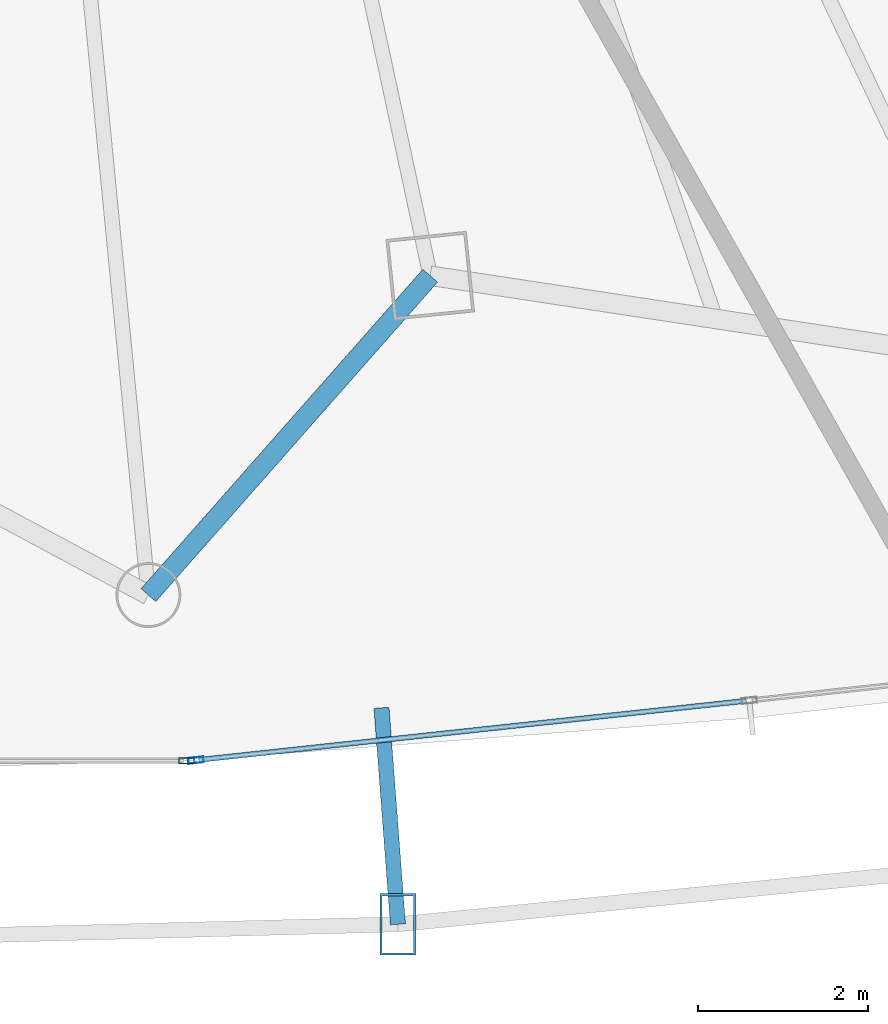
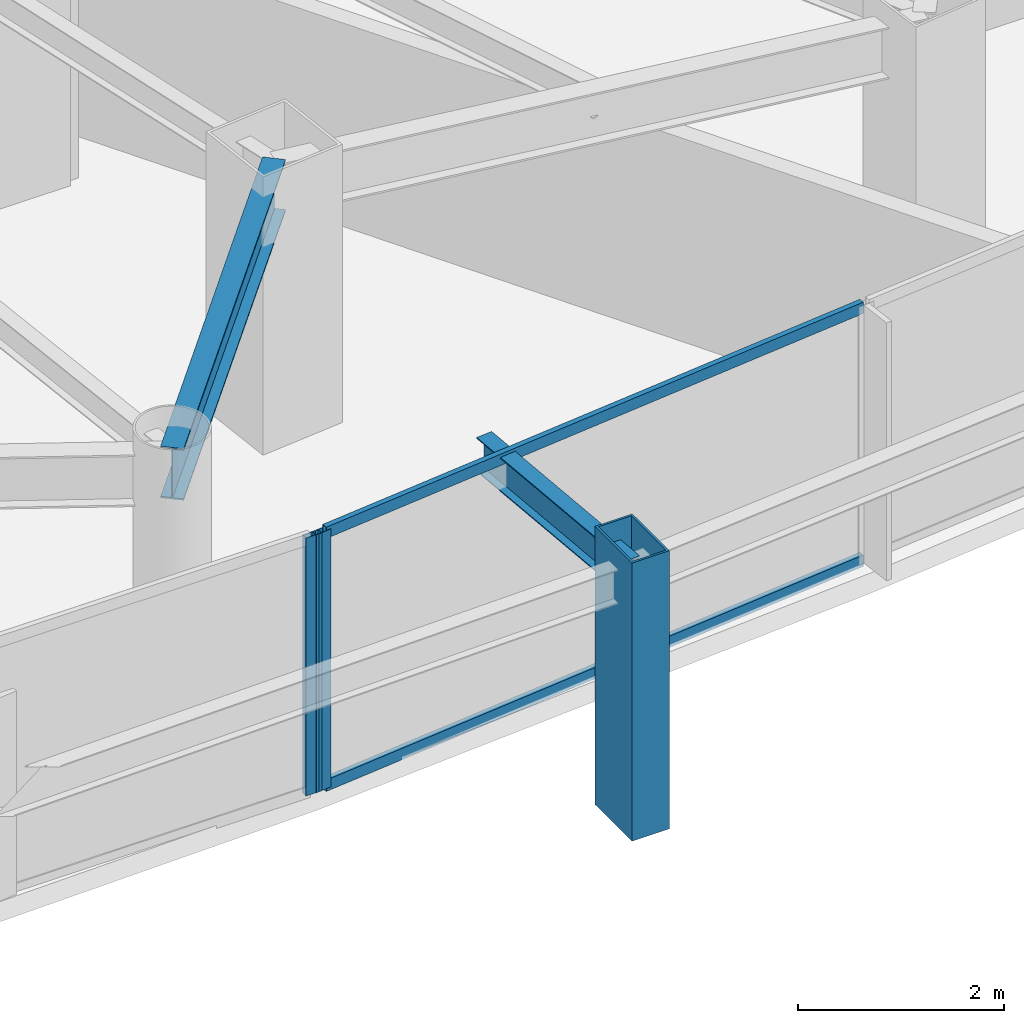
# One storey, part 13 of 37: 5 members, 2 beams, 2 elements without a shape of their own.
"""IFC4 building model written with IfcOpenShell, lengths in metres."""

from ifc_helpers import new_model, si_unit, direction, frame, origin, origin_2d, place, context, subcontext, project, spatial, hollow_rectangle, i_section, extrude, material, layer, layer_set, material_profile, profile_set, type_object, element, aggregate, save


model = new_model("IFC4")

# Units and contexts
model_context = context("Model", 3, precision=1e-05, world=origin(), true_north=direction((0.0, 1.0)))
body_context = subcontext(model_context, "Body", "Model", "MODEL_VIEW")
ifc_project = project(units=[si_unit("LENGTHUNIT", "METRE"), si_unit("AREAUNIT", "SQUARE_METRE"), si_unit("VOLUMEUNIT", "CUBIC_METRE"), si_unit("PLANEANGLEUNIT", "RADIAN"), si_unit("MASSUNIT", "GRAM", prefix="KILO")], contexts=[model_context])

# Site, building, storey
site_placement = place(None, origin())
site = spatial("IfcSite", under=ifc_project, at=site_placement, CompositionType="ELEMENT")
building_placement = place(site_placement, origin())
building = spatial("IfcBuilding", under=site, at=building_placement, Name="Orvanel Arch Residences", CompositionType="ELEMENT")
storey_placement = place(building_placement, frame((0.0, 0.0, 53.300048828125)))
storey = spatial("IfcBuildingStorey", under=building, at=storey_placement, Name="L14", CompositionType="ELEMENT", Elevation=53.300048828125)

# Member
ifc_material_1 = material(Name="Structural steel AS/NZS 3678 Grade 350", Category="steel")
ifc_material_profile_1 = material_profile(ifc_material_1, hollow_rectangle(XDim=0.419921875, YDim=0.719970703125, WallThickness=0.02490234375, at=origin_2d()), Name="RHS720x420x25")
ifc_profile_set_1 = profile_set([ifc_material_profile_1], Name="Structural steel AS/NZS 3678 Grade 350")
member_type_1 = type_object("IfcMemberType", Name="CH-720RHS-EXT", PredefinedType="CHORD", material=ifc_profile_set_1)
member_1_placement = place(storey_placement, frame((41.971923828125, -0.260986328125, 0.0), z_axis=(0.0, 0.0, 1.0), x_axis=(1.0, 0.0, 0.0)))
element("IfcMember", 1, at=member_1_placement, inside=storey, type_object=member_type_1, Name="L14 Outer Perimeter Frame Post 07", PredefinedType="CHORD", context=body_context, shape_type="SweptSolid", body=[
    extrude(hollow_rectangle(XDim=0.419921875, YDim=0.719970703125, WallThickness=0.02490234375, at=origin_2d()), origin(), (0.0, 0.0, 1.0), 3.300048828125),
])

# Curtain wall, member
ifc_material_2 = material(Name="Bronze-anodised aluminium AA6063-T6", Category="aluminium")
ifc_layer = layer(ifc_material_2, 0.179931640625)
ifc_layer_set = layer_set([ifc_layer], Name="Bronze-anodised aluminium AA6063-T6")
curtain_wall_type = type_object("IfcCurtainWallType", Name="CW2-LOW-SYS", PredefinedType="NOTDEFINED", material=ifc_layer_set)
curtain_wall_1_placement = place(storey_placement, origin())
curtain_wall_1 = element("IfcCurtainWall", 2, at=curtain_wall_1_placement, inside=storey, type_object=curtain_wall_type, Name="L14 CW2-LOW-SYS Unitised Curtain Wall", PredefinedType="NOTDEFINED")
ifc_material_profile_2 = material_profile(ifc_material_2, hollow_rectangle(XDim=0.070068359375, YDim=0.179931640625, WallThickness=0.00439453125, at=origin_2d()), Name="ALU180x70x4.5")
ifc_profile_set_2 = profile_set([ifc_material_profile_2], Name="Bronze-anodised aluminium AA6063-T6")
member_type_2 = type_object("IfcMemberType", Name="MUL-180x70", PredefinedType="MULLION", material=ifc_profile_set_2)
member_2_placement = place(storey_placement, frame((39.489990234375, 1.659912109375, 0.0), z_axis=(0.0, 0.0, 1.0), x_axis=(0.0, 1.0, 0.0)))
member_2 = element("IfcMember", 3, at=member_2_placement, type_object=member_type_2, Name="CW-S2 mullion 3", PredefinedType="MULLION", context=body_context, shape_type="SweptSolid", body=[
    extrude(hollow_rectangle(XDim=0.070068359375, YDim=0.179931640625, WallThickness=0.00439453125, at=origin_2d()), origin(), (0.0, 0.0, 1.0), 3.06005859375),
])
aggregate(curtain_wall_1, [member_2])

curtain_wall_2_placement = place(storey_placement, origin())
curtain_wall_2 = element("IfcCurtainWall", 4, at=curtain_wall_2_placement, inside=storey, type_object=curtain_wall_type, Name="L14 CW2-LOW-SYS Unitised Curtain Wall", PredefinedType="NOTDEFINED")
member_3_placement = place(storey_placement, frame((39.599853515625, 1.665771484375, 0.0), z_axis=(0.0, 0.0, 1.0), x_axis=(-0.107357145401, 0.994220520474, 0.0)))
member_3 = element("IfcMember", 5, at=member_3_placement, type_object=member_type_2, Name="CW-S2 mullion 1", PredefinedType="MULLION", context=body_context, shape_type="SweptSolid", body=[
    extrude(hollow_rectangle(XDim=0.070068359375, YDim=0.179931640625, WallThickness=0.00439453125, at=origin_2d()), origin(), (0.0, 0.0, 1.0), 3.06005859375),
])

# Beams
ifc_material_3 = material(Name="Structural steel AS/NZS 3679.1 Grade 300 (300 MPa)", Category="steel")
ifc_material_profile_3 = material_profile(ifc_material_3, i_section(OverallWidth=0.177978515625, OverallDepth=0.406005859375, WebThickness=0.0078125, FlangeThickness=0.0126953125, at=origin_2d()), Name="410UB59.7")
ifc_profile_set_3 = profile_set([ifc_material_profile_3], Name="Structural steel AS/NZS 3679.1 Grade 300 (300 MPa)")
beam_type_1 = type_object("IfcBeamType", Name="OB-410UB-EXT", PredefinedType="SPANDREL", material=ifc_profile_set_3)
beam_1_placement = place(storey_placement, frame((41.779052734375, 2.281005859375, 2.85693359375), z_axis=(0.075656531941, -0.99713393743, 0.0), x_axis=(0.99713393743, 0.075656531941, 0.0)))
element("IfcBeam", 6, at=beam_1_placement, inside=storey, type_object=beam_type_1, Name="L14 Outer Frame Radial Tie Beam 07", PredefinedType="SPANDREL", context=body_context, shape_type="SweptSolid", body=[
    extrude(i_section(OverallWidth=0.177978515625, OverallDepth=0.406005859375, WebThickness=0.0078125, FlangeThickness=0.0126953125, at=origin_2d()), origin(), (0.0, 0.0, 1.0), 2.54931640625),
])
ifc_material_profile_4 = material_profile(ifc_material_3, i_section(OverallWidth=0.22900390625, OverallDepth=0.612060546875, WebThickness=0.011962890625, FlangeThickness=0.01953125, at=origin_2d()), Name="610UB125")
ifc_profile_set_4 = profile_set([ifc_material_profile_4], Name="Structural steel AS/NZS 3679.1 Grade 300 (300 MPa)")
beam_type_2 = type_object("IfcBeamType", Name="SP-610UB", PredefinedType="SPANDREL", material=ifc_profile_set_4)
beam_2_placement = place(storey_placement, frame((39.0419921875, 3.60498046875, 2.75390625), z_axis=(0.661650698195, 0.749812212209, 0.0), x_axis=(-0.749812212209, 0.661650698195, 0.0)))
element("IfcBeam", 7, at=beam_2_placement, inside=storey, type_object=beam_type_2, Name="L14 Perimeter Spandrel Beam 08", PredefinedType="SPANDREL", context=body_context, shape_type="SweptSolid", body=[
    extrude(i_section(OverallWidth=0.22900390625, OverallDepth=0.612060546875, WebThickness=0.011962890625, FlangeThickness=0.01953125, at=origin_2d()), origin(), (0.0, 0.0, 1.0), 5.001220703125),
])

# Member
ifc_material_profile_5 = material_profile(ifc_material_2, hollow_rectangle(XDim=0.06005859375, YDim=0.135009765625, WallThickness=0.00390625, at=origin_2d()), Name="ALU135x60x4")
ifc_profile_set_5 = profile_set([ifc_material_profile_5], Name="Bronze-anodised aluminium AA6063-T6")
member_type_3 = type_object("IfcMemberType", Name="TRN-135x60", PredefinedType="USERDEFINED", material=ifc_profile_set_5)
member_4_placement = place(storey_placement, frame((39.634521484375, 1.66943359375, 0.030029296875), z_axis=(0.994220236619, 0.107359774108, 0.0), x_axis=(-0.107359774108, 0.994220236619, 0.0)))
member_4 = element("IfcMember", 8, at=member_4_placement, type_object=member_type_3, Name="CW-S2 transom 1.1", ObjectType="TRANSOM", PredefinedType="USERDEFINED", context=body_context, shape_type="SweptSolid", body=[
    extrude(hollow_rectangle(XDim=0.06005859375, YDim=0.135009765625, WallThickness=0.00390625, at=origin_2d()), origin(), (0.0, 0.0, 1.0), 6.465087890625),
])

member_5_placement = place(storey_placement, frame((39.634521484375, 1.66943359375, 3.030029296875), z_axis=(0.994220236619, 0.107359774108, 0.0), x_axis=(-0.107359774108, 0.994220236619, 0.0)))
member_5 = element("IfcMember", 9, at=member_5_placement, type_object=member_type_3, Name="CW-S2 transom 1.2", ObjectType="TRANSOM", PredefinedType="USERDEFINED", context=body_context, shape_type="SweptSolid", body=[
    extrude(hollow_rectangle(XDim=0.06005859375, YDim=0.135009765625, WallThickness=0.00390625, at=origin_2d()), origin(), (0.0, 0.0, 1.0), 6.465087890625),
])

aggregate(curtain_wall_2, [member_3, member_4, member_5])

save(model, "model.ifc")
